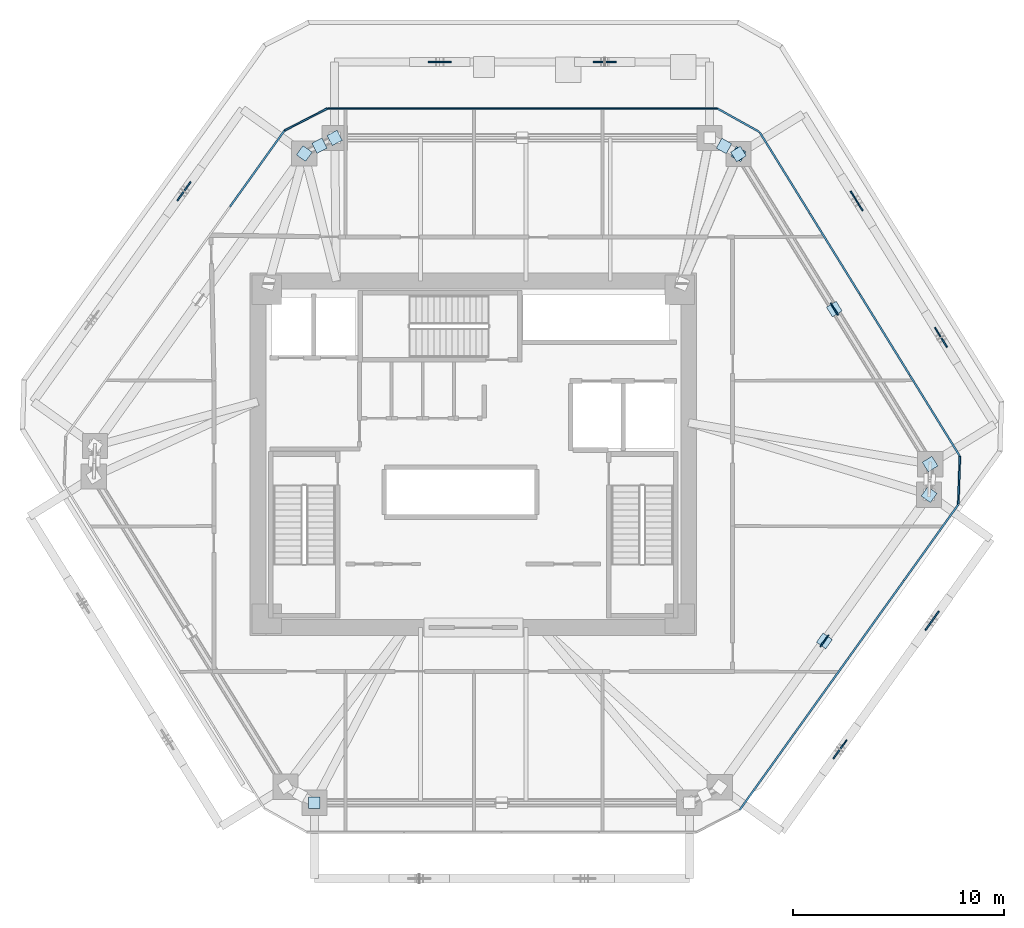
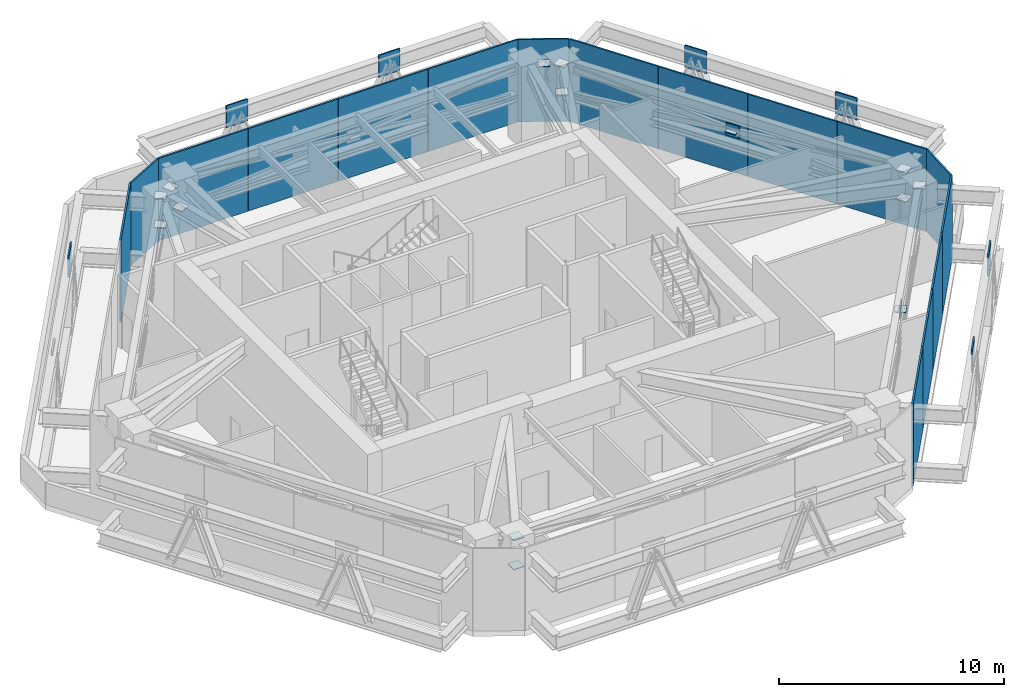
# One storey, part 5 of 11: 39 plates.
"""IFC4 building model written with IfcOpenShell, lengths in metres."""

from ifc_helpers import new_model, si_unit, direction, frame, origin, origin_2d, place, context, subcontext, project, spatial, rectangle, extrude, source, transform, mapped, material, layer, layer_set, type_object, type_shapes, element, save


model = new_model("IFC4")

# Units and contexts
model_context = context("Model", 3, precision=1e-05, world=origin(), true_north=direction((0.0, 1.0)))
body_context = subcontext(model_context, "Body", "Model", "MODEL_VIEW")
ifc_project = project(units=[si_unit("LENGTHUNIT", "METRE"), si_unit("AREAUNIT", "SQUARE_METRE"), si_unit("VOLUMEUNIT", "CUBIC_METRE"), si_unit("PLANEANGLEUNIT", "RADIAN"), si_unit("MASSUNIT", "GRAM", prefix="KILO")], contexts=[model_context])

# Site, building, storey
site_placement = place(None, origin())
site = spatial("IfcSite", under=ifc_project, at=site_placement, CompositionType="ELEMENT")
building_placement = place(site_placement, origin())
building = spatial("IfcBuilding", under=site, at=building_placement, Name="Durnholm Broadcast Tower", CompositionType="ELEMENT")
storey_placement = place(building_placement, frame((0.0, 0.0, 150.300048828125)))
storey = spatial("IfcBuildingStorey", under=building, at=storey_placement, Name="L41", CompositionType="ELEMENT", Elevation=150.300048828125)

# Plates
ifc_material_1 = material(Name="Steel ASTM A572 Grade 50", Category="steel")
ifc_layer_1 = layer(ifc_material_1, 0.0400390625)
ifc_layer_set_1 = layer_set([ifc_layer_1], Name="Steel ASTM A572 Grade 50")
plate_type_1 = type_object("IfcPlateType", Name="PLT-KN-CAP", PredefinedType="USERDEFINED", material=ifc_layer_set_1)
shared_shape_1 = source(origin(), body_context, "Body", "SweptSolid", [
    extrude(rectangle(XDim=0.5400390625, YDim=0.5400390625, at=origin_2d()), origin(), (0.0, 0.0, 1.0), 0.0400390625),
])
type_shapes(plate_type_1, [shared_shape_1])
for number, where, z_axis, x_axis, name in (
    (1, (-8.021728515625, 14.2763671875, 2.530029296875), (0.0, 0.0, 1.0), (0.582122970157, 0.813100761047, 0.0), "L41 hollow section end cap plate BT-CH-L41-03 2"),
    (2, (-8.021728515625, 14.2763671875, 4.10986328125), (0.0, 0.0, 1.0), (0.582122970157, 0.813100761047, 0.0), "L41 hollow section end cap plate BT-XCONT-L41-03 2"),
    (3, (-6.57861328125, 15.01806640625, 2.530029296875), (0.0, 0.0, 1.0), (0.889416373291, 0.457097927059, 0.0), "L41 hollow section end cap plate BT-CH-L41-04 2"),
    (4, (-7.30029296875, 14.647216796875, 4.10986328125), (0.0, 0.0, 1.0), (0.889416373291, 0.457097927059, 0.0), "L41 hollow section end cap plate BT-BR-L41-04-1 2"),
    (5, (12.5908203125, 14.252197265625, 2.530029296875), (0.0, 0.0, 1.0), (0.873432483984, -0.486945269945, 0.0), "L41 hollow section end cap plate BT-CH-L41-06 2"),
    (6, (11.904052734375, 14.635009765625, 4.10986328125), (0.0, 0.0, 1.0), (0.873347482699, -0.487097705254, 0.0), "L41 hollow section end cap plate BT-BR-L41-06-1 2"),
    (7, (21.68701171875, -0.46728515625, 2.530029296875), (0.0, 0.0, 1.0), (0.525768608156, -0.850627633385, 0.0), "L41 hollow section end cap plate BT-CH-L41-07 2"),
    (8, (21.68701171875, -0.46728515625, 4.10986328125), (0.0, 0.0, 1.0), (0.525768608156, -0.850627633385, 0.0), "L41 hollow section end cap plate BT-XCONT-L41-07 2"),
    (9, (17.138916015625, 6.892578125, 3.31982421875), (0.0, 0.0, 1.0), (-0.525768608156, 0.850627633385, 0.0), "L41 hollow section end cap plate BT-XSPLIT-L41-07-1 2"),
    (10, (12.5908203125, 14.252197265625, 4.10986328125), (0.0, 0.0, 1.0), (-0.525768608156, 0.850627633385, 0.0), "L41 hollow section end cap plate BT-XSPLIT-L41-07-2 2"),
    (11, (16.668701171875, -8.85986328125, 3.31982421875), (0.0, 0.0, 1.0), (0.582122970157, 0.813100761047, 0.0), "L41 hollow section end cap plate BT-XSPLIT-L41-09-1 2"),
    (12, (21.637939453125, -1.919677734375, 4.10986328125), (0.0, 0.0, 1.0), (0.582122970157, 0.813100761047, 0.0), "L41 hollow section end cap plate BT-XSPLIT-L41-09-2 2"),
    (13, (-7.53955078125, -16.5419921875, 2.530029296875), (0.0, 0.0, 1.0), (-1.0, 0.0, 0.0), "L41 hollow section end cap plate BT-CH-L41-11 2"),
    (14, (-7.53955078125, -16.5419921875, 4.10986328125), (0.0, 0.0, 1.0), (-1.0, 0.0, 0.0), "L41 hollow section end cap plate BT-XCONT-L41-11 2"),
):
    element("IfcPlate", number, at=place(storey_placement, frame(where, z_axis=z_axis, x_axis=x_axis)), inside=storey, type_object=plate_type_1, Name=name, ObjectType="CAP_PLATE", PredefinedType="USERDEFINED", context=body_context, shape_type="MappedRepresentation", body=[
        mapped(shared_shape_1, transform((0.0, 0.0, 0.0), x_axis=(1.0, 0.0, 0.0), y_axis=(0.0, 1.0, 0.0), z_axis=(0.0, 0.0, 1.0), scale=1.0)),
    ])
ifc_material_2 = material(Name="ASTM A572 Grade 50 Steel", Category="steel")
ifc_layer_2 = layer(ifc_material_2, 0.06005859375)
ifc_layer_set_2 = layer_set([ifc_layer_2], Name="ASTM A572 Grade 50 Steel")
plate_type_2 = type_object("IfcPlateType", Name="PLT-KN-X1", PredefinedType="USERDEFINED", material=ifc_layer_set_2)
shared_shape_2 = source(origin(), body_context, "Body", "SweptSolid", [
    extrude(rectangle(XDim=0.679931640625, YDim=0.06005859375, at=origin_2d()), origin(), (0.0, 0.0, 1.0), 0.679931640625),
])
type_shapes(plate_type_2, [shared_shape_2])
for number, where, z_axis, x_axis, name in (
    (15, (17.138916015625, 6.892578125, 3.0), (0.0, 0.0, 1.0), (0.525768608156, -0.850627633385, 0.0), "L41 belt-truss X-brace crossing gusset plate 07"),
    (16, (16.668701171875, -8.85986328125, 3.0), (0.0, 0.0, 1.0), (-0.582122970157, -0.813100761047, 0.0), "L41 belt-truss X-brace crossing gusset plate 09"),
):
    element("IfcPlate", number, at=place(storey_placement, frame(where, z_axis=z_axis, x_axis=x_axis)), inside=storey, type_object=plate_type_2, Name=name, ObjectType="GUSSET_PLATE", PredefinedType="USERDEFINED", context=body_context, shape_type="MappedRepresentation", body=[
        mapped(shared_shape_2, transform((0.0, 0.0, 0.0), x_axis=(1.0, 0.0, 0.0), y_axis=(0.0, 1.0, 0.0), z_axis=(0.0, 0.0, 1.0), scale=1.0)),
    ])
ifc_layer_3 = layer(ifc_material_1, 0.070068359375)
ifc_layer_set_3 = layer_set([ifc_layer_3], Name="Steel ASTM A572 Grade 50")
plate_type_3 = type_object("IfcPlateType", Name="PLT-KN09-GUS", PredefinedType="USERDEFINED", material=ifc_layer_set_3)
shared_shape_3 = source(origin(), body_context, "Body", "SweptSolid", [
    extrude(rectangle(XDim=1.10009765625, YDim=0.070068359375, at=origin_2d()), origin(), (0.0, 0.0, 1.0), 1.199951171875),
])
type_shapes(plate_type_3, [shared_shape_3])
for number, where, z_axis, x_axis, name in (
    (17, (17.40966796875, -14.009521484375, 3.12841796875), (0.0, 0.0, 1.0), (0.582122970157, 0.813100761047, 0.0), "L41 welded diagrid node gusset plate KN09 F2"),
    (18, (21.782470703125, -7.90185546875, 3.12841796875), (0.0, 0.0, 1.0), (0.582122970157, 0.813100761047, 0.0), "L41 welded diagrid node gusset plate KN09 F2"),
    (19, (22.202392578125, 5.546875, 3.12841796875), (0.0, 0.0, 1.0), (-0.525768608156, 0.850627633385, 0.0), "L41 welded diagrid node gusset plate KN09 F3"),
    (20, (18.2001953125, 12.023193359375, 3.12841796875), (0.0, 0.0, 1.0), (-0.525768608156, 0.850627633385, 0.0), "L41 welded diagrid node gusset plate KN09 F3"),
    (21, (6.234619140625, 18.617919921875, 3.12841796875), (0.0, 0.0, 1.0), (-1.0, 0.0, 0.0), "L41 welded diagrid node gusset plate KN09 F4"),
    (22, (-1.595703125, 18.617919921875, 3.12841796875), (0.0, 0.0, 1.0), (-1.0, 0.0, 0.0), "L41 welded diagrid node gusset plate KN09 F4"),
    (23, (-13.731689453125, 12.485595703125, 3.12841796875), (0.0, 0.0, 1.0), (-0.582122970157, -0.813100761047, 0.0), "L41 welded diagrid node gusset plate KN09 F5"),
):
    element("IfcPlate", number, at=place(storey_placement, frame(where, z_axis=z_axis, x_axis=x_axis)), inside=storey, type_object=plate_type_3, Name=name, ObjectType="GUSSET_PLATE", PredefinedType="USERDEFINED", context=body_context, shape_type="MappedRepresentation", body=[
        mapped(shared_shape_3, transform((0.0, 0.0, 0.0), x_axis=(1.0, 0.0, 0.0), y_axis=(0.0, 1.0, 0.0), z_axis=(0.0, 0.0, 1.0), scale=1.0)),
    ])
ifc_material_3 = material(Name="Anodised Architectural Aluminium Louvre Screen", Category="aluminium")
ifc_layer_4 = layer(ifc_material_3, 0.0849609375)
ifc_layer_set_4 = layer_set([ifc_layer_4], Name="Anodised Architectural Aluminium Louvre Screen")
plate_type_4 = type_object("IfcPlateType", Name="PLT-CROWN-SCR", PredefinedType="USERDEFINED", material=ifc_layer_set_4)
shared_shape_4 = source(origin(), body_context, "Body", "SweptSolid", [
    extrude(rectangle(XDim=2.280029296875, YDim=0.0849609375, at=origin_2d()), origin(), (0.0, 0.0, 1.0), 4.47998046875),
])
for number, where, z_axis, x_axis, name in (
    (24, (-7.940185546875, 15.892333984375, 0.0), (0.0, 0.0, 1.0), (0.889416373291, 0.457097927059, 0.0), "L41 mechanical louvre screen panel SCR-L41-F03.1"),
    (25, (12.5859375, 15.85791015625, 0.0), (0.0, 0.0, 1.0), (0.873432483984, -0.486945269945, 0.0), "L41 mechanical louvre screen panel SCR-L41-F05.1"),
    (26, (23.061767578125, -1.240966796875, 0.0), (0.0, 0.0, 1.0), (-0.033852918131, -0.999426825703, 0.0), "L41 mechanical louvre screen panel SCR-L41-F07.1"),
):
    element("IfcPlate", number, at=place(storey_placement, frame(where, z_axis=z_axis, x_axis=x_axis)), inside=storey, type_object=plate_type_4, Name=name, ObjectType="SCREEN", PredefinedType="USERDEFINED", context=body_context, shape_type="MappedRepresentation", body=[
        mapped(shared_shape_4, transform((0.0, 0.0, 0.0), x_axis=(1.0, 0.0, 0.0), y_axis=(0.0, 1.0, 0.0), z_axis=(0.0, 0.0, 1.0), scale=1.0)),
    ])
shared_shape_5 = source(origin(), body_context, "Body", "SweptSolid", [
    extrude(rectangle(XDim=4.4384765625, YDim=0.0849609375, at=origin_2d()), origin(), (0.0, 0.0, 1.0), 4.47998046875),
])
for number, where, z_axis, x_axis, name in (
    (27, (-10.2607421875, 13.55419921875, 0.0), (0.0, 0.0, 1.0), (0.582122970157, 0.813100761047, 0.0), "L41 mechanical louvre screen panel SCR-L41-F02.4"),
    (28, (21.72509765625, -4.202880859375, 0.0), (0.0, 0.0, 1.0), (-0.582122970157, -0.813100761047, 0.0), "L41 mechanical louvre screen panel SCR-L41-F08.1"),
    (29, (19.129638671875, -7.827880859375, 0.0), (0.0, 0.0, 1.0), (-0.582122970157, -0.813100761047, 0.0), "L41 mechanical louvre screen panel SCR-L41-F08.2"),
    (30, (16.5341796875, -11.452880859375, 0.0), (0.0, 0.0, 1.0), (-0.582122970157, -0.813100761047, 0.0), "L41 mechanical louvre screen panel SCR-L41-F08.3"),
    (31, (13.938720703125, -15.078125, 0.0), (0.0, 0.0, 1.0), (-0.582122970157, -0.813100761047, 0.0), "L41 mechanical louvre screen panel SCR-L41-F08.4"),
):
    element("IfcPlate", number, at=place(storey_placement, frame(where, z_axis=z_axis, x_axis=x_axis)), inside=storey, type_object=plate_type_4, Name=name, ObjectType="SCREEN", PredefinedType="USERDEFINED", context=body_context, shape_type="MappedRepresentation", body=[
        mapped(shared_shape_5, transform((0.0, 0.0, 0.0), x_axis=(1.0, 0.0, 0.0), y_axis=(0.0, 1.0, 0.0), z_axis=(0.0, 0.0, 1.0), scale=1.0)),
    ])
shared_shape_6 = source(origin(), body_context, "Body", "SweptSolid", [
    extrude(rectangle(XDim=4.604736328125, YDim=0.0849609375, at=origin_2d()), origin(), (0.0, 0.0, 1.0), 4.47998046875),
])
for number, where, z_axis, x_axis, name in (
    (32, (-4.60498046875, 16.41796875, 0.0), (0.0, 0.0, 1.0), (1.0, 0.0, 0.0), "L41 mechanical louvre screen panel SCR-L41-F04.1"),
    (33, (0.019775390625, 16.41796875, 0.0), (0.0, 0.0, 1.0), (1.0, 0.0, 0.0), "L41 mechanical louvre screen panel SCR-L41-F04.2"),
    (34, (4.644287109375, 16.41796875, 0.0), (0.0, 0.0, 1.0), (1.0, 0.0, 0.0), "L41 mechanical louvre screen panel SCR-L41-F04.3"),
    (35, (9.26904296875, 16.41796875, 0.0), (0.0, 0.0, 1.0), (1.0, 0.0, 0.0), "L41 mechanical louvre screen panel SCR-L41-F04.4"),
):
    element("IfcPlate", number, at=place(storey_placement, frame(where, z_axis=z_axis, x_axis=x_axis)), inside=storey, type_object=plate_type_4, Name=name, ObjectType="SCREEN", PredefinedType="USERDEFINED", context=body_context, shape_type="MappedRepresentation", body=[
        mapped(shared_shape_6, transform((0.0, 0.0, 0.0), x_axis=(1.0, 0.0, 0.0), y_axis=(0.0, 1.0, 0.0), z_axis=(0.0, 0.0, 1.0), scale=1.0)),
    ])
shared_shape_7 = source(origin(), body_context, "Body", "SweptSolid", [
    extrude(rectangle(XDim=4.502685546875, YDim=0.0849609375, at=origin_2d()), origin(), (0.0, 0.0, 1.0), 4.47998046875),
])
type_shapes(plate_type_4, [shared_shape_4, shared_shape_5, shared_shape_6, shared_shape_7])
for number, where, z_axis, x_axis, name in (
    (36, (14.779052734375, 13.374267578125, 0.0), (0.0, 0.0, 1.0), (0.525768608156, -0.850627633385, 0.0), "L41 mechanical louvre screen panel SCR-L41-F06.1"),
    (37, (17.15673828125, 9.52685546875, 0.0), (0.0, 0.0, 1.0), (0.525768608156, -0.850627633385, 0.0), "L41 mechanical louvre screen panel SCR-L41-F06.2"),
    (38, (19.5341796875, 5.679443359375, 0.0), (0.0, 0.0, 1.0), (0.525768608156, -0.850627633385, 0.0), "L41 mechanical louvre screen panel SCR-L41-F06.3"),
    (39, (21.911865234375, 1.83203125, 0.0), (0.0, 0.0, 1.0), (0.525768608156, -0.850627633385, 0.0), "L41 mechanical louvre screen panel SCR-L41-F06.4"),
):
    element("IfcPlate", number, at=place(storey_placement, frame(where, z_axis=z_axis, x_axis=x_axis)), inside=storey, type_object=plate_type_4, Name=name, ObjectType="SCREEN", PredefinedType="USERDEFINED", context=body_context, shape_type="MappedRepresentation", body=[
        mapped(shared_shape_7, transform((0.0, 0.0, 0.0), x_axis=(1.0, 0.0, 0.0), y_axis=(0.0, 1.0, 0.0), z_axis=(0.0, 0.0, 1.0), scale=1.0)),
    ])

save(model, "model.ifc")
